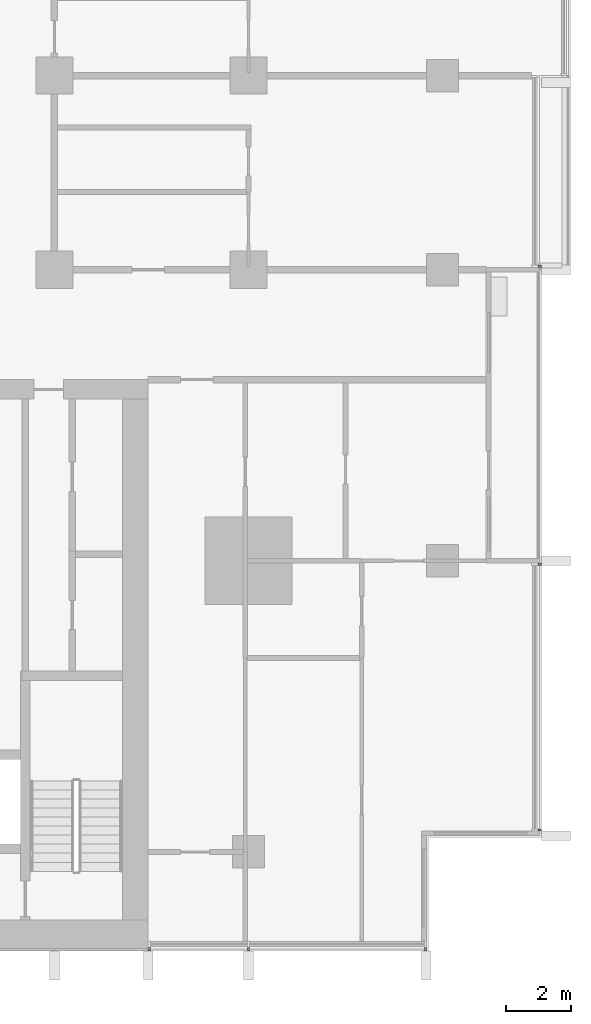
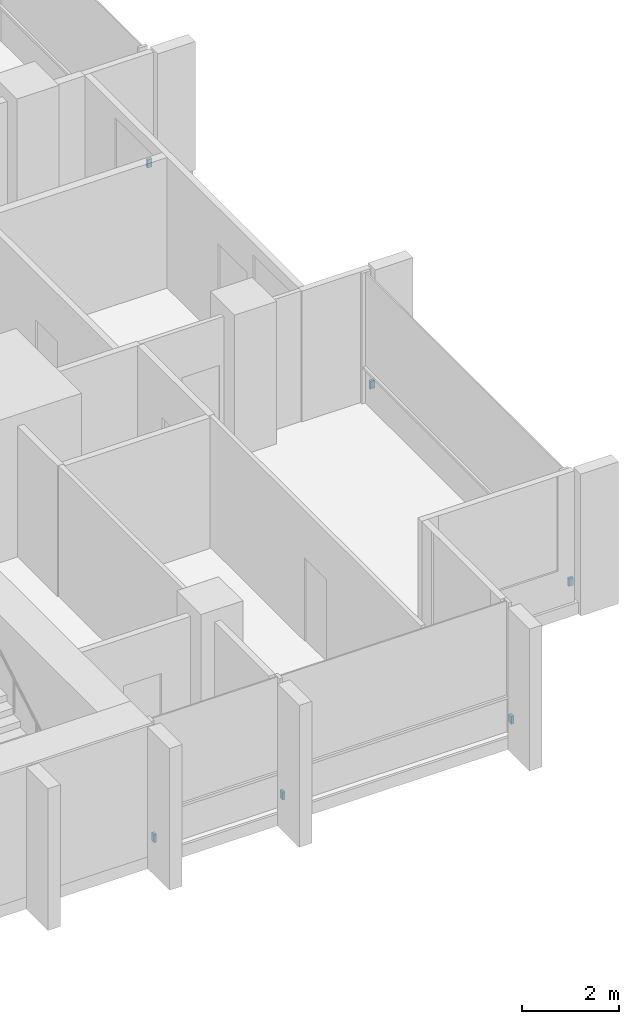
# One storey, part 14 of 17: 6 discrete accessories.
"""IFC4 building model written with IfcOpenShell, lengths in metres."""

from ifc_helpers import new_model, si_unit, direction, frame, origin, origin_2d, place, context, subcontext, project, spatial, rectangle, extrude, material, type_object, element, save


model = new_model("IFC4")

# Units and contexts
model_context = context("Model", 3, precision=1e-05, world=origin(), true_north=direction((0.0, 1.0)))
body_context = subcontext(model_context, "Body", "Model", "MODEL_VIEW")
ifc_project = project(units=[si_unit("LENGTHUNIT", "METRE"), si_unit("AREAUNIT", "SQUARE_METRE"), si_unit("VOLUMEUNIT", "CUBIC_METRE"), si_unit("PLANEANGLEUNIT", "RADIAN"), si_unit("MASSUNIT", "GRAM", prefix="KILO")], contexts=[model_context])

# Site, building, storey
site_placement = place(None, origin())
site = spatial("IfcSite", under=ifc_project, at=site_placement, CompositionType="ELEMENT")
building_placement = place(site_placement, origin())
building = spatial("IfcBuilding", under=site, at=building_placement, Name="Finial Court Residences", CompositionType="ELEMENT")
storey_placement = place(building_placement, frame((0.0, 0.0, 102.699951171875)))
storey = spatial("IfcBuildingStorey", under=building, at=storey_placement, Name="L25", CompositionType="ELEMENT", Elevation=102.699951171875)

# Discrete accessories
ifc_material = material(Name="Stainless steel 316", Category="steel")
discrete_accessory_type = type_object("IfcDiscreteAccessoryType", Name="Fin bracket, stainless steel 65 x 110 x 200", PredefinedType="BRACKET", material=ifc_material)
for number, where, z_axis, x_axis, name in (
    (1, (25.5048828125, -21.8173828125, 0.30029296875), (0.0, 0.0, 1.0), (1.0, 0.0, 0.0), "E-L25-FIN-E9-BRK"),
    (2, (25.5048828125, -13.607421875, 0.30029296875), (0.0, 0.0, 1.0), (1.0, 0.0, 0.0), "E-L25-FIN-E10-BRK"),
    (3, (25.5048828125, -4.392578125, 0.30029296875), (0.0, 0.0, 1.0), (1.0, 0.0, 0.0), "E-L25-FIN-E11-BRK"),
):
    element("IfcDiscreteAccessory", number, at=place(storey_placement, frame(where, z_axis=z_axis, x_axis=x_axis)), inside=storey, type_object=discrete_accessory_type, Name=name, PredefinedType="BRACKET", context=body_context, shape_type="SweptSolid", body=[
        extrude(rectangle(XDim=0.110107421875, YDim=0.06494140625, at=origin_2d()), origin(), (0.0, 0.0, 1.0), 0.199951171875),
    ])
for number, where, z_axis, x_axis, name in (
    (4, (13.4326171875, -25.5048828125, 0.30029296875), (0.0, 0.0, 1.0), (1.0, 0.0, 0.0), "E-L25-FIN-S23-BRK"),
    (5, (16.5, -25.5048828125, 0.30029296875), (0.0, 0.0, 1.0), (1.0, 0.0, 0.0), "E-L25-FIN-S24-BRK"),
    (6, (21.967529296875, -25.5048828125, 0.30029296875), (0.0, 0.0, 1.0), (1.0, 0.0, 0.0), "E-L25-FIN-S25-BRK"),
):
    element("IfcDiscreteAccessory", number, at=place(storey_placement, frame(where, z_axis=z_axis, x_axis=x_axis)), inside=storey, type_object=discrete_accessory_type, Name=name, PredefinedType="BRACKET", context=body_context, shape_type="SweptSolid", body=[
        extrude(rectangle(XDim=0.06494140625, YDim=0.110107421875, at=origin_2d()), origin(), (0.0, 0.0, 1.0), 0.199951171875),
    ])

save(model, "model.ifc")
